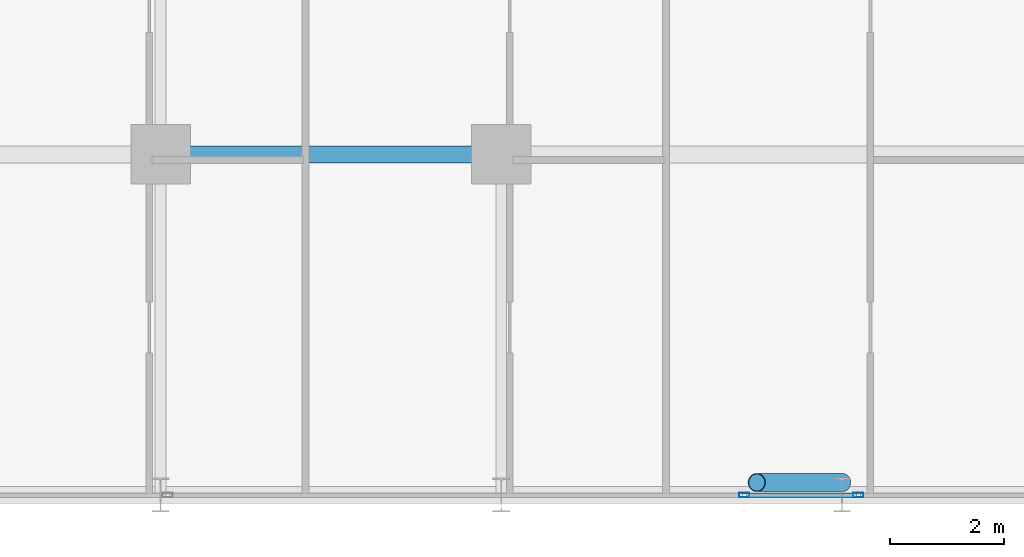
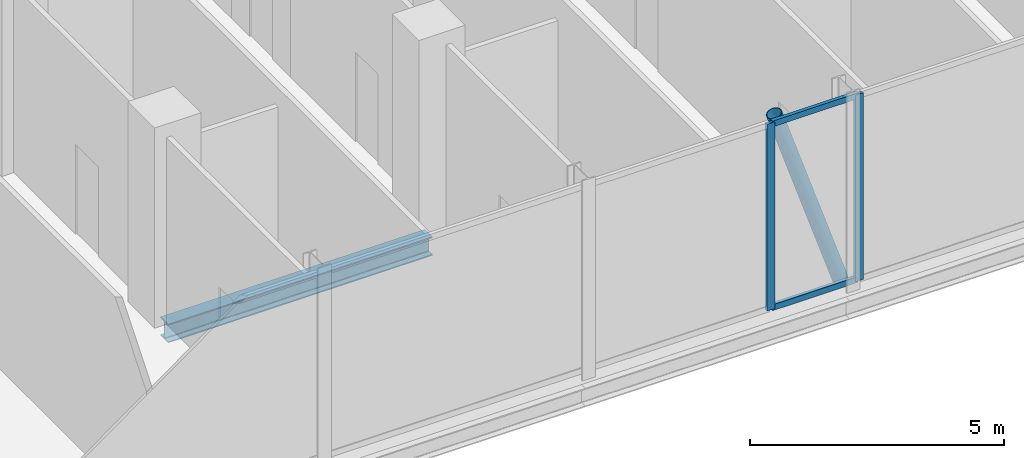
# One storey, part 8 of 29: 5 members, 1 beam, 2 elements without a shape of their own.
"""IFC4 building model written with IfcOpenShell, lengths in metres."""

from ifc_helpers import new_model, si_unit, direction, frame, origin, origin_2d, place, context, subcontext, project, spatial, hollow_rectangle, hollow_circle, i_section, extrude, material, layer, layer_set, material_profile, profile_set, type_object, element, aggregate, save


model = new_model("IFC4")

# Units and contexts
model_context = context("Model", 3, precision=1e-05, world=origin(), true_north=direction((0.0, 1.0)))
body_context = subcontext(model_context, "Body", "Model", "MODEL_VIEW")
ifc_project = project(units=[si_unit("LENGTHUNIT", "METRE"), si_unit("AREAUNIT", "SQUARE_METRE"), si_unit("VOLUMEUNIT", "CUBIC_METRE"), si_unit("PLANEANGLEUNIT", "RADIAN"), si_unit("MASSUNIT", "GRAM", prefix="KILO")], contexts=[model_context])

# Site, building, storey
site_placement = place(None, origin())
site = spatial("IfcSite", under=ifc_project, at=site_placement, CompositionType="ELEMENT")
building_placement = place(site_placement, origin())
building = spatial("IfcBuilding", under=site, at=building_placement, Name="Keshet Zoharim Tower", CompositionType="ELEMENT")
storey_placement = place(building_placement, frame((0.0, 0.0, 120.5)))
storey = spatial("IfcBuildingStorey", under=building, at=storey_placement, Name="L29", CompositionType="ELEMENT", Elevation=120.5)

# Beam
ifc_material_1 = material(Name="Steel S355", Category="steel")
ifc_material_profile_1 = material_profile(ifc_material_1, i_section(OverallWidth=0.300048828125, OverallDepth=0.449951171875, WebThickness=0.013916015625, FlangeThickness=0.02587890625, FilletRadius=0.027099609375, at=origin_2d()), Name="HEB450")
ifc_profile_set_1 = profile_set([ifc_material_profile_1], Name="Steel S355")
beam_type = type_object("IfcBeamType", Name="BM-WEB-HB450", PredefinedType="BEAM", material=ifc_profile_set_1)
beam_placement = place(storey_placement, frame((33.0, 6.699951171875, -0.544921875), z_axis=(1.0, 0.0, 0.0), x_axis=(0.0, 1.0, 0.0)))
element("IfcBeam", 1, at=beam_placement, inside=storey, type_object=beam_type, Name="L29 Primary Girder X-007", PredefinedType="BEAM", context=body_context, shape_type="SweptSolid", body=[
    extrude(i_section(OverallWidth=0.300048828125, OverallDepth=0.449951171875, WebThickness=0.013916015625, FlangeThickness=0.02587890625, FilletRadius=0.027099609375, at=origin_2d()), origin(), (0.0, 0.0, 1.0), 6.0),
])

# Curtain wall, member
ifc_material_2 = material(Name="Aluminium 6063-T6", Category="aluminium")
ifc_layer = layer(ifc_material_2, 0.14990234375)
ifc_layer_set = layer_set([ifc_layer], Name="Aluminium 6063-T6")
curtain_wall_type = type_object("IfcCurtainWallType", Name="CW-SYS-04", PredefinedType="NOTDEFINED", material=ifc_layer_set)
curtain_wall_1_placement = place(storey_placement, origin())
curtain_wall_1 = element("IfcCurtainWall", 2, at=curtain_wall_1_placement, inside=storey, type_object=curtain_wall_type, Name="L29 Unitised Curtain Wall 03", PredefinedType="NOTDEFINED")
ifc_material_profile_2 = material_profile(ifc_material_2, hollow_rectangle(XDim=0.080078125, YDim=0.179931640625, WallThickness=0.00439453125, at=origin_2d()), Name="MUL-80x180")
ifc_profile_set_2 = profile_set([ifc_material_profile_2], Name="Aluminium 6063-T6")
member_type_1 = type_object("IfcMemberType", Name="CWM-M18", PredefinedType="MULLION", material=ifc_profile_set_2)
member_1_placement = place(storey_placement, frame((45.28857421875, 0.699951171875, 0.0), z_axis=(0.0, 0.0, 1.0), x_axis=(0.0, -1.0, 0.0)))
member_1 = element("IfcMember", 3, at=member_1_placement, type_object=member_type_1, Name="CW-04 mullion 2", PredefinedType="MULLION", context=body_context, shape_type="SweptSolid", body=[
    extrude(hollow_rectangle(XDim=0.080078125, YDim=0.179931640625, WallThickness=0.00439453125, at=origin_2d()), origin(), (0.0, 0.0, 1.0), 4.47998046875),
])
aggregate(curtain_wall_1, [member_1])

# Curtain wall, members
curtain_wall_2_placement = place(storey_placement, origin())
curtain_wall_2 = element("IfcCurtainWall", 4, at=curtain_wall_2_placement, inside=storey, type_object=curtain_wall_type, Name="L29 Unitised Curtain Wall 03 Part 2", PredefinedType="NOTDEFINED")
member_2_placement = place(storey_placement, frame((43.281494140625, 0.699951171875, 0.0), z_axis=(0.0, 0.0, 1.0), x_axis=(0.0, -1.0, 0.0)))
member_2 = element("IfcMember", 5, at=member_2_placement, type_object=member_type_1, Name="CW-04 mullion 2", PredefinedType="MULLION", context=body_context, shape_type="SweptSolid", body=[
    extrude(hollow_rectangle(XDim=0.080078125, YDim=0.179931640625, WallThickness=0.00439453125, at=origin_2d()), origin(), (0.0, 0.0, 1.0), 4.47998046875),
])
ifc_material_profile_3 = material_profile(ifc_material_2, hollow_rectangle(XDim=0.080078125, YDim=0.139892578125, WallThickness=0.00390625, at=origin_2d()), Name="TRN-80x140")
ifc_profile_set_3 = profile_set([ifc_material_profile_3], Name="Aluminium 6063-T6")
member_type_2 = type_object("IfcMemberType", Name="CWT-T14", PredefinedType="USERDEFINED", material=ifc_profile_set_3)
member_3_placement = place(storey_placement, frame((45.253662109375, 0.699951171875, 0.034912109375), z_axis=(-1.0, 0.0, 0.0), x_axis=(0.0, -1.0, 0.0)))
member_3 = element("IfcMember", 6, at=member_3_placement, type_object=member_type_2, Name="CW-04 transom 1.1", ObjectType="TRANSOM", PredefinedType="USERDEFINED", context=body_context, shape_type="SweptSolid", body=[
    extrude(hollow_rectangle(XDim=0.080078125, YDim=0.139892578125, WallThickness=0.00390625, at=origin_2d()), origin(), (0.0, 0.0, 1.0), 1.937255859375),
])
member_4_placement = place(storey_placement, frame((45.253662109375, 0.699951171875, 4.445068359375), z_axis=(-1.0, 0.0, 0.0), x_axis=(0.0, -1.0, 0.0)))
member_4 = element("IfcMember", 7, at=member_4_placement, type_object=member_type_2, Name="CW-04 transom 1.2", ObjectType="TRANSOM", PredefinedType="USERDEFINED", context=body_context, shape_type="SweptSolid", body=[
    extrude(hollow_rectangle(XDim=0.080078125, YDim=0.139892578125, WallThickness=0.00390625, at=origin_2d()), origin(), (0.0, 0.0, 1.0), 1.937255859375),
])
aggregate(curtain_wall_2, [member_2, member_3, member_4])

# Member
ifc_material_profile_4 = material_profile(ifc_material_1, hollow_circle(Radius=0.161865234375, WallThickness=0.012451171875, at=origin_2d()), Name="CHS323x12.5")
ifc_profile_set_4 = profile_set([ifc_material_profile_4], Name="Steel S355")
member_type_3 = type_object("IfcMemberType", Name="MB-BR-C323", PredefinedType="BRACE", material=ifc_profile_set_4)
member_5_placement = place(storey_placement, frame((45.0, 0.919921875, 0.0), z_axis=(-0.317498717206, 0.0, 0.94825870129), x_axis=(0.0, -1.0, 0.0)))
element("IfcMember", 8, at=member_5_placement, inside=storey, type_object=member_type_3, Name="L29 Perimeter Tube Brace 04", PredefinedType="BRACE", context=body_context, shape_type="SweptSolid", body=[
    extrude(hollow_circle(Radius=0.161865234375, WallThickness=0.012451171875, at=origin_2d()), origin(), (0.0, 0.0, 1.0), 4.724365234375),
])

save(model, "model.ifc")
